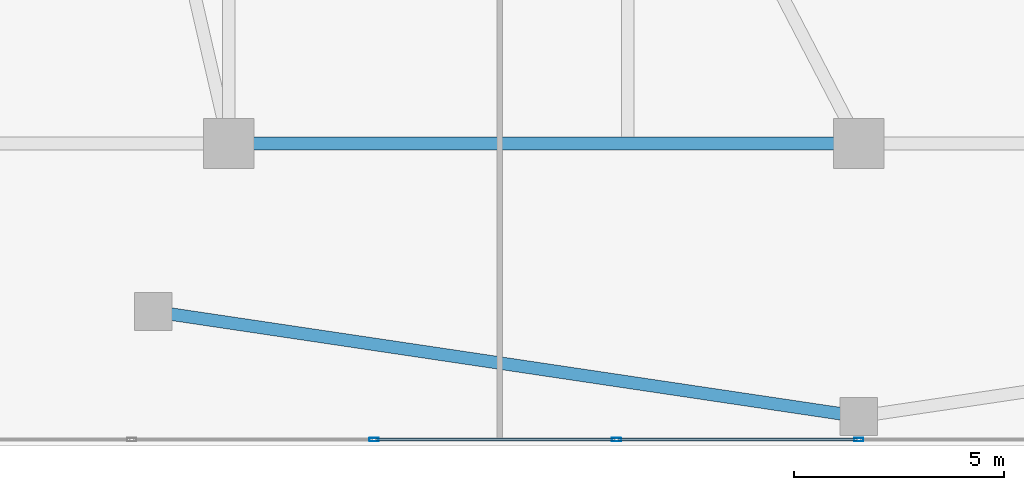
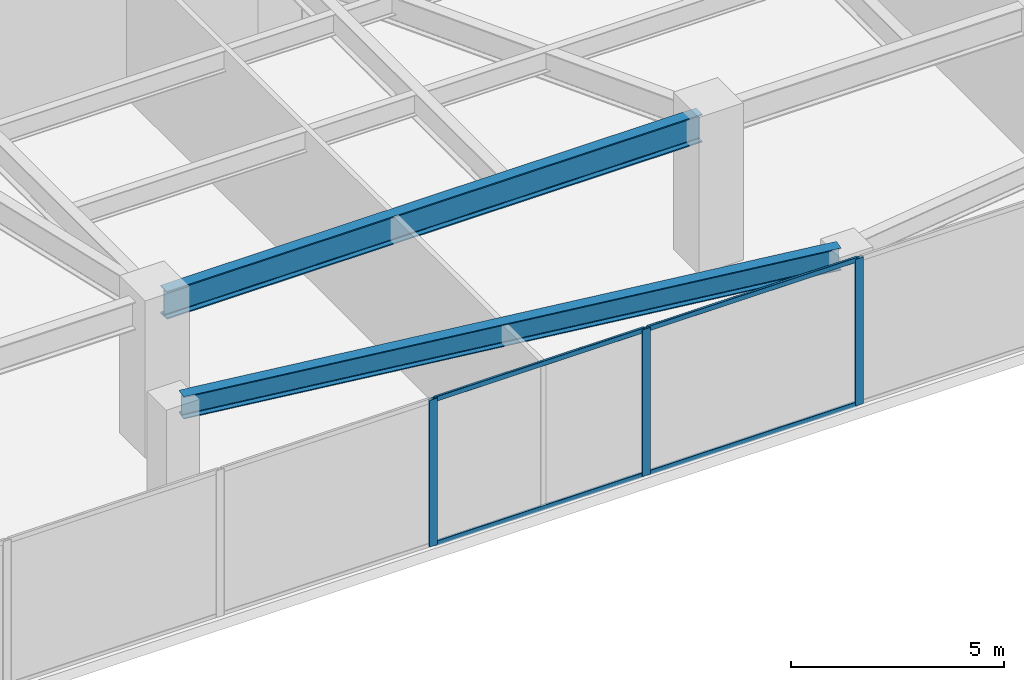
# One storey, part 4 of 27: 7 members, 2 beams, 1 element without a shape of its own.
"""IFC4 building model written with IfcOpenShell, lengths in metres."""

from ifc_helpers import new_model, si_unit, direction, frame, origin, origin_2d, place, context, subcontext, project, spatial, hollow_rectangle, i_section, extrude, material, layer, layer_set, material_profile, profile_set, type_object, element, aggregate, save


model = new_model("IFC4")

# Units and contexts
model_context = context("Model", 3, precision=1e-05, world=origin(), true_north=direction((0.0, 1.0)))
body_context = subcontext(model_context, "Body", "Model", "MODEL_VIEW")
ifc_project = project(units=[si_unit("LENGTHUNIT", "METRE"), si_unit("AREAUNIT", "SQUARE_METRE"), si_unit("VOLUMEUNIT", "CUBIC_METRE"), si_unit("PLANEANGLEUNIT", "RADIAN"), si_unit("MASSUNIT", "GRAM", prefix="KILO")], contexts=[model_context])

# Site, building, storey
site_placement = place(None, origin())
site = spatial("IfcSite", under=ifc_project, at=site_placement, CompositionType="ELEMENT")
building_placement = place(site_placement, origin())
building = spatial("IfcBuilding", under=site, at=building_placement, Name="Tarnavaz Court Tower", CompositionType="ELEMENT")
storey_placement = place(building_placement, frame((0.0, 0.0, 9.89990234375)))
storey = spatial("IfcBuildingStorey", under=building, at=storey_placement, Name="L02", CompositionType="ELEMENT", Elevation=9.89990234375)

# Beams
ifc_material_1 = material(Name="Steel S355", Category="steel")
ifc_material_profile_1 = material_profile(ifc_material_1, i_section(OverallWidth=0.300048828125, OverallDepth=0.800048828125, WebThickness=0.017578125, FlangeThickness=0.032958984375, FilletRadius=0.030029296875, at=origin_2d()), Name="HEB 800")
ifc_profile_set_1 = profile_set([ifc_material_profile_1], Name="Steel S355")
beam_type_1 = type_object("IfcBeamType", Name="BM-G-HEB800", PredefinedType="USERDEFINED", material=ifc_profile_set_1)
beam_1_placement = place(storey_placement, frame((-14.75, -22.800048828125, 3.800048828125), z_axis=(1.0, 0.0, 0.0), x_axis=(0.0, 1.0, 0.0)))
element("IfcBeam", 1, at=beam_1_placement, inside=storey, type_object=beam_type_1, Name="L02 Beam PM-PM-S1-PM-S2", ObjectType="GIRDER", PredefinedType="USERDEFINED", context=body_context, shape_type="SweptSolid", body=[
    extrude(i_section(OverallWidth=0.300048828125, OverallDepth=0.800048828125, WebThickness=0.017578125, FlangeThickness=0.032958984375, FilletRadius=0.030029296875, at=origin_2d()), origin(), (0.0, 0.0, 1.0), 14.5),
])
ifc_material_profile_2 = material_profile(ifc_material_1, i_section(OverallWidth=0.300048828125, OverallDepth=0.639892578125, WebThickness=0.013427734375, FlangeThickness=0.02587890625, FilletRadius=0.027099609375, at=origin_2d()), Name="HEA 650")
ifc_profile_set_2 = profile_set([ifc_material_profile_2], Name="Steel S355")
beam_type_2 = type_object("IfcBeamType", Name="BM-SP-HEA650", PredefinedType="SPANDREL", material=ifc_profile_set_2)
beam_2_placement = place(storey_placement, frame((-16.602294921875, -26.829345703125, 3.960205078125), z_axis=(0.989108332922, -0.147189353368, 0.0), x_axis=(0.147189353368, 0.989108332922, 0.0)))
element("IfcBeam", 2, at=beam_2_placement, inside=storey, type_object=beam_type_2, Name="L02 Beam PR-POD-S1-POD-S2", PredefinedType="SPANDREL", context=body_context, shape_type="SweptSolid", body=[
    extrude(i_section(OverallWidth=0.300048828125, OverallDepth=0.639892578125, WebThickness=0.013427734375, FlangeThickness=0.02587890625, FilletRadius=0.027099609375, at=origin_2d()), origin(), (0.0, 0.0, 1.0), 16.585205078125),
])

# Curtain wall, members
ifc_material_2 = material(Name="Anodised Aluminium 6063-T6 and Solar Low-E Glazing", Category="aluminium")
ifc_layer = layer(ifc_material_2, 0.18994140625)
ifc_layer_set = layer_set([ifc_layer], Name="Anodised Aluminium 6063-T6 and Solar Low-E Glazing")
curtain_wall_type = type_object("IfcCurtainWallType", Name="CW-SYS-01", PredefinedType="NOTDEFINED", material=ifc_layer_set)
curtain_wall_placement = place(storey_placement, origin())
curtain_wall = element("IfcCurtainWall", 3, at=curtain_wall_placement, inside=storey, type_object=curtain_wall_type, Name="L02 Clinic South Curtain Wall 3", PredefinedType="NOTDEFINED")
ifc_material_3 = material(Name="Anodised Aluminium 6063-T6", Category="aluminium")
ifc_material_profile_3 = material_profile(ifc_material_3, hollow_rectangle(XDim=0.0849609375, YDim=0.219970703125, WallThickness=0.006103515625, InnerFilletRadius=0.006103515625, OuterFilletRadius=0.011962890625, at=origin_2d()), Name="ALU RHS 220X85X6")
ifc_profile_set_3 = profile_set([ifc_material_profile_3], Name="Anodised Aluminium 6063-T6")
member_type_1 = type_object("IfcMemberType", Name="CW-MUL-220", PredefinedType="MULLION", material=ifc_profile_set_3)
member_1_placement = place(storey_placement, frame((0.0, -29.85009765625, 0.0), z_axis=(0.0, 0.0, 1.0), x_axis=(0.0, -1.0, 0.0)))
member_1 = element("IfcMember", 4, at=member_1_placement, type_object=member_type_1, Name="CW mullion 6", PredefinedType="MULLION", context=body_context, shape_type="SweptSolid", body=[
    extrude(hollow_rectangle(XDim=0.0849609375, YDim=0.219970703125, WallThickness=0.006103515625, InnerFilletRadius=0.006103515625, OuterFilletRadius=0.011962890625, at=origin_2d()), origin(), (0.0, 0.0, 1.0), 4.2001953125),
])
member_2_placement = place(storey_placement, frame((-5.77001953125, -29.85009765625, 0.0), z_axis=(0.0, 0.0, 1.0), x_axis=(0.0, -1.0, 0.0)))
member_2 = element("IfcMember", 5, at=member_2_placement, type_object=member_type_1, Name="CW mullion 7", PredefinedType="MULLION", context=body_context, shape_type="SweptSolid", body=[
    extrude(hollow_rectangle(XDim=0.0849609375, YDim=0.219970703125, WallThickness=0.006103515625, InnerFilletRadius=0.006103515625, OuterFilletRadius=0.011962890625, at=origin_2d()), origin(), (0.0, 0.0, 1.0), 4.2001953125),
])
member_3_placement = place(storey_placement, frame((-11.5400390625, -29.85009765625, 0.0), z_axis=(0.0, 0.0, 1.0), x_axis=(0.0, -1.0, 0.0)))
member_3 = element("IfcMember", 6, at=member_3_placement, type_object=member_type_1, Name="CW mullion 8", PredefinedType="MULLION", context=body_context, shape_type="SweptSolid", body=[
    extrude(hollow_rectangle(XDim=0.0849609375, YDim=0.219970703125, WallThickness=0.006103515625, InnerFilletRadius=0.006103515625, OuterFilletRadius=0.011962890625, at=origin_2d()), origin(), (0.0, 0.0, 1.0), 4.2001953125),
])
ifc_material_profile_4 = material_profile(ifc_material_3, hollow_rectangle(XDim=0.06494140625, YDim=0.139892578125, WallThickness=0.00390625, InnerFilletRadius=0.00390625, OuterFilletRadius=0.008056640625, at=origin_2d()), Name="ALU RHS 140X65X4")
ifc_profile_set_4 = profile_set([ifc_material_profile_4], Name="Anodised Aluminium 6063-T6")
member_type_2 = type_object("IfcMemberType", Name="CW-TRN-140", PredefinedType="USERDEFINED", material=ifc_profile_set_4)
member_4_placement = place(storey_placement, frame((-0.04248046875, -29.85009765625, 0.03271484375), z_axis=(-1.0, 0.0, 0.0), x_axis=(0.0, -1.0, 0.0)))
member_4 = element("IfcMember", 7, at=member_4_placement, type_object=member_type_2, Name="CW transom 6.1", ObjectType="TRANSOM", PredefinedType="USERDEFINED", context=body_context, shape_type="SweptSolid", body=[
    extrude(hollow_rectangle(XDim=0.06494140625, YDim=0.139892578125, WallThickness=0.00390625, InnerFilletRadius=0.00390625, OuterFilletRadius=0.008056640625, at=origin_2d()), origin(), (0.0, 0.0, 1.0), 5.68505859375),
])
member_5_placement = place(storey_placement, frame((-0.04248046875, -29.85009765625, 4.16748046875), z_axis=(-1.0, 0.0, 0.0), x_axis=(0.0, -1.0, 0.0)))
member_5 = element("IfcMember", 8, at=member_5_placement, type_object=member_type_2, Name="CW transom 6.2", ObjectType="TRANSOM", PredefinedType="USERDEFINED", context=body_context, shape_type="SweptSolid", body=[
    extrude(hollow_rectangle(XDim=0.06494140625, YDim=0.139892578125, WallThickness=0.00390625, InnerFilletRadius=0.00390625, OuterFilletRadius=0.008056640625, at=origin_2d()), origin(), (0.0, 0.0, 1.0), 5.68505859375),
])
member_6_placement = place(storey_placement, frame((-5.8125, -29.85009765625, 0.03271484375), z_axis=(-1.0, 0.0, 0.0), x_axis=(0.0, -1.0, 0.0)))
member_6 = element("IfcMember", 9, at=member_6_placement, type_object=member_type_2, Name="CW transom 7.1", ObjectType="TRANSOM", PredefinedType="USERDEFINED", context=body_context, shape_type="SweptSolid", body=[
    extrude(hollow_rectangle(XDim=0.06494140625, YDim=0.139892578125, WallThickness=0.00390625, InnerFilletRadius=0.00390625, OuterFilletRadius=0.008056640625, at=origin_2d()), origin(), (0.0, 0.0, 1.0), 5.68505859375),
])
member_7_placement = place(storey_placement, frame((-5.8125, -29.85009765625, 4.16748046875), z_axis=(-1.0, 0.0, 0.0), x_axis=(0.0, -1.0, 0.0)))
member_7 = element("IfcMember", 10, at=member_7_placement, type_object=member_type_2, Name="CW transom 7.2", ObjectType="TRANSOM", PredefinedType="USERDEFINED", context=body_context, shape_type="SweptSolid", body=[
    extrude(hollow_rectangle(XDim=0.06494140625, YDim=0.139892578125, WallThickness=0.00390625, InnerFilletRadius=0.00390625, OuterFilletRadius=0.008056640625, at=origin_2d()), origin(), (0.0, 0.0, 1.0), 5.68505859375),
])
aggregate(curtain_wall, [member_1, member_2, member_3, member_4, member_5, member_6, member_7])

save(model, "model.ifc")
